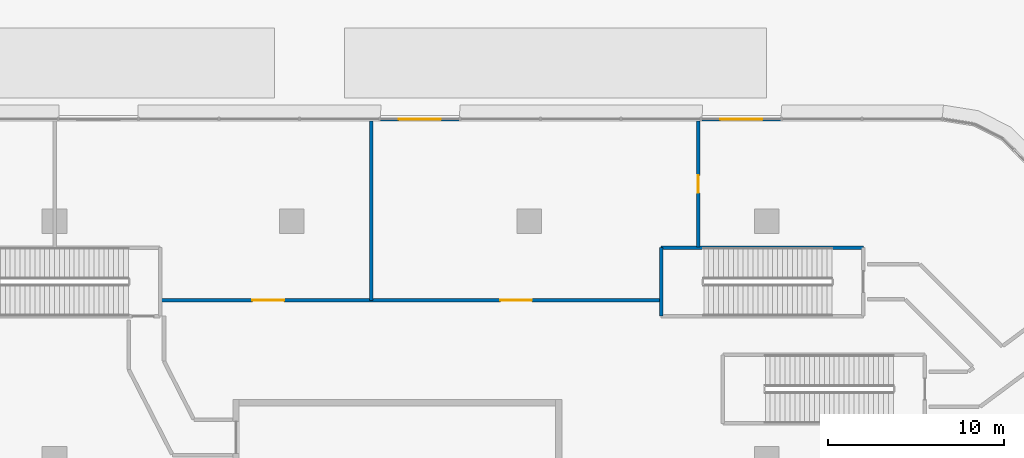
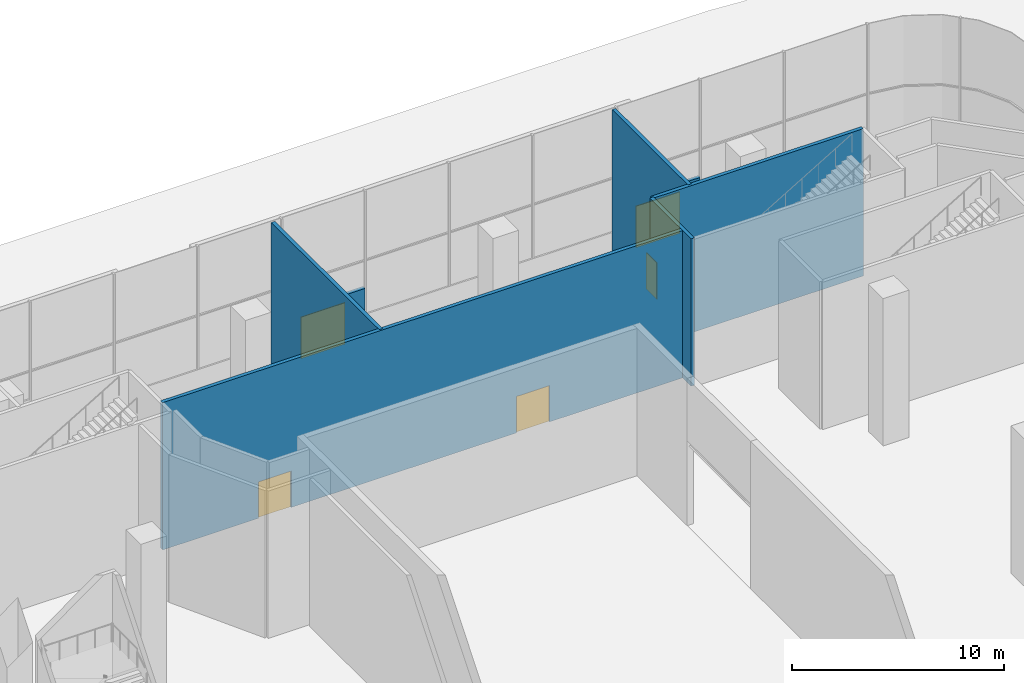
# One storey, part 31 of 54: 7 walls, 5 doors, 5 openings.
"""IFC4 building model written with IfcOpenShell, lengths in metres."""

from ifc_helpers import new_model, si_unit, direction, frame, frame_2d, origin, place, context, subcontext, project, spatial, rectangle, extrude, material, layer, layer_set, type_object, element, fill, save


model = new_model("IFC4")

# Units and contexts
model_context = context("Model", 3, precision=1e-05, world=origin(), true_north=direction((0.0, 1.0)))
body_context = subcontext(model_context, "Body", "Model", "MODEL_VIEW")
ifc_project = project(units=[si_unit("LENGTHUNIT", "METRE"), si_unit("AREAUNIT", "SQUARE_METRE"), si_unit("VOLUMEUNIT", "CUBIC_METRE"), si_unit("PLANEANGLEUNIT", "RADIAN"), si_unit("MASSUNIT", "GRAM", prefix="KILO")], contexts=[model_context])

# Site, building, storey
site_placement = place(None, origin())
site = spatial("IfcSite", under=ifc_project, at=site_placement, CompositionType="ELEMENT")
building_placement = place(site_placement, origin())
building = spatial("IfcBuilding", under=site, at=building_placement, Name="Tamarind Cross Interchange Tower", CompositionType="ELEMENT")
storey_placement = place(building_placement, origin())
storey = spatial("IfcBuildingStorey", under=building, at=storey_placement, Name="L00", CompositionType="ELEMENT", Elevation=0.0)

# Wall, openings, doors
ifc_material_1 = material(Name="Masonry partition, fire-rated", Category="masonry")
ifc_layer_1 = layer(ifc_material_1, 0.199951171875)
ifc_layer_set_1 = layer_set([ifc_layer_1], Name="Masonry partition, fire-rated")
wall_type_1 = type_object("IfcWallType", Name="Fire partition 200 EI 120", PredefinedType="PARTITIONING", material=ifc_layer_set_1)
wall_1_placement = place(storey_placement, frame((19.530029296875, 49.5, 0.0), z_axis=(0.0, 0.0, 1.0), x_axis=(1.0, 0.0, 0.0)))
wall_1 = element("IfcWall", 1, at=wall_1_placement, inside=storey, type_object=wall_type_1, Name="L00 partition 96", PredefinedType="PARTITIONING", context=body_context, shape_type="SweptSolid", body=[
    extrude(rectangle(XDim=28.43994140625, YDim=0.199951171875, at=frame_2d((14.219970703125, 0.0))), origin(), (0.0, 0.0, 1.0), 8.5),
])
opening_1_placement = place(wall_1_placement, frame((5.222412109375, 0.0, 0.0)))
opening_1 = element("IfcOpeningElement", 2, at=opening_1_placement, cuts=wall_1, Name="Opening DL00-16", PredefinedType="OPENING", context=body_context, shape_type="SweptSolid", body=[
    extrude(rectangle(XDim=1.800048828125, YDim=2.10009765625, at=frame_2d((0.89990234375, 1.050048828125))), frame((0.0, 0.10986328125, 0.0), z_axis=(0.0, -1.0, 0.0), x_axis=(1.0, 0.0, 0.0)), (0.0, 0.0, 1.0), 0.219970703125),
])
opening_2_placement = place(wall_1_placement, frame((19.320068359375, 0.0, 0.0)))
opening_2 = element("IfcOpeningElement", 3, at=opening_2_placement, cuts=wall_1, Name="Opening DL00-17", PredefinedType="OPENING", context=body_context, shape_type="SweptSolid", body=[
    extrude(rectangle(XDim=1.800048828125, YDim=2.10009765625, at=frame_2d((0.89990234375, 1.050048828125))), frame((0.0, 0.10986328125, 0.0), z_axis=(0.0, -1.0, 0.0), x_axis=(1.0, 0.0, 0.0)), (0.0, 0.0, 1.0), 0.219970703125),
])
ifc_material_2 = material(Name="Steel, fire-resisting", Category="steel")
door_type_1 = type_object("IfcDoorType", Name="Podium door 1800 x 2100 FD60", OperationType="SINGLE_SWING_LEFT", PredefinedType="DOOR", material=ifc_material_2)
door_1_placement = place(opening_1_placement, origin())
door_1 = element("IfcDoor", 4, at=door_1_placement, inside=storey, type_object=door_type_1, Name="L00 door Bus Control Room 0001", OperationType="SINGLE_SWING_RIGHT", OverallHeight=2.10009765625, OverallWidth=1.800048828125, PredefinedType="DOOR", context=body_context, shape_type="SweptSolid", body=[
    extrude(rectangle(XDim=1.800048828125, YDim=2.10009765625, at=frame_2d((0.89990234375, 1.050048828125))), frame((0.0, 0.02490234375, 0.0), z_axis=(0.0, -1.0, 0.0), x_axis=(1.0, 0.0, 0.0)), (0.0, 0.0, 1.0), 0.050048828125),
])
fill(opening_1, door_1)
door_2_placement = place(opening_2_placement, origin())
door_2 = element("IfcDoor", 5, at=door_2_placement, inside=storey, type_object=door_type_1, Name="L00 door Driver Rest Room 0002", OperationType="SINGLE_SWING_LEFT", OverallHeight=2.10009765625, OverallWidth=1.800048828125, PredefinedType="DOOR", context=body_context, shape_type="SweptSolid", body=[
    extrude(rectangle(XDim=1.800048828125, YDim=2.10009765625, at=frame_2d((0.89990234375, 1.050048828125))), frame((0.0, 0.02490234375, 0.0), z_axis=(0.0, -1.0, 0.0), x_axis=(1.0, 0.0, 0.0)), (0.0, 0.0, 1.0), 0.050048828125),
])
fill(opening_2, door_2)

# Wall
wall_2_placement = place(storey_placement, frame((31.5, 49.5, 0.0), z_axis=(0.0, 0.0, 1.0), x_axis=(0.0, 1.0, 0.0)))
element("IfcWall", 6, at=wall_2_placement, inside=storey, type_object=wall_type_1, Name="L00 partition 98", PredefinedType="PARTITIONING", context=body_context, shape_type="SweptSolid", body=[
    extrude(rectangle(XDim=10.198974609375, YDim=0.199951171875, at=frame_2d((5.099609375, 0.0))), origin(), (0.0, 0.0, 1.0), 8.5),
])

# Wall, opening, door
wall_3_placement = place(storey_placement, frame((50.10009765625, 52.530029296875, 0.0), z_axis=(0.0, 0.0, 1.0), x_axis=(0.0, 1.0, 0.0)))
wall_3 = element("IfcWall", 7, at=wall_3_placement, inside=storey, type_object=wall_type_1, Name="L00 partition 101", PredefinedType="PARTITIONING", context=body_context, shape_type="SweptSolid", body=[
    extrude(rectangle(XDim=7.1689453125, YDim=0.199951171875, at=frame_2d((3.58447265625, 0.0))), origin(), (0.0, 0.0, 1.0), 8.5),
])
opening_3_placement = place(wall_3_placement, frame((3.080078125, 0.0, 0.0)))
opening_3 = element("IfcOpeningElement", 8, at=opening_3_placement, cuts=wall_3, Name="Opening DL00-35", PredefinedType="OPENING", context=body_context, shape_type="SweptSolid", body=[
    extrude(rectangle(XDim=1.0, YDim=2.10009765625, at=frame_2d((0.5, 1.050048828125))), frame((0.0, 0.10986328125, 0.0), z_axis=(0.0, -1.0, 0.0), x_axis=(1.0, 0.0, 0.0)), (0.0, 0.0, 1.0), 0.219970703125),
])
door_type_2 = type_object("IfcDoorType", Name="Podium door 1000 x 2100 FD60", OperationType="SINGLE_SWING_LEFT", PredefinedType="DOOR", material=ifc_material_2)
door_3_placement = place(opening_3_placement, origin())
door_3 = element("IfcDoor", 9, at=door_3_placement, inside=storey, type_object=door_type_2, Name="L00 door Driver Toilets 0003", OperationType="SINGLE_SWING_LEFT", OverallHeight=2.10009765625, OverallWidth=1.0, PredefinedType="DOOR", context=body_context, shape_type="SweptSolid", body=[
    extrude(rectangle(XDim=1.0, YDim=2.10009765625, at=frame_2d((0.5, 1.050048828125))), frame((0.0, 0.02490234375, 0.0), z_axis=(0.0, -1.0, 0.0), x_axis=(1.0, 0.0, 0.0)), (0.0, 0.0, 1.0), 0.050048828125),
])
fill(opening_3, door_3)

ifc_material_3 = material(Name="Precast concrete C40", Category="concrete")
ifc_layer_2 = layer(ifc_material_3, 0.35009765625)
ifc_layer_set_2 = layer_set([ifc_layer_2], Name="Precast concrete C40")
wall_type_2 = type_object("IfcWallType", Name="Podium facade wall", PredefinedType="SOLIDWALL", material=ifc_layer_set_2)
wall_4_placement = place(storey_placement, frame((54.8037109375, 59.800048828125, 0.0), z_axis=(0.0, 0.0, 1.0), x_axis=(-1.0, 0.0, 0.0)))
wall_4 = element("IfcWall", 10, at=wall_4_placement, inside=storey, type_object=wall_type_2, Name="EXW-L00-02-D02", PredefinedType="SOLIDWALL", context=body_context, shape_type="SweptSolid", body=[
    extrude(rectangle(XDim=4.490478515625, YDim=0.199951171875, at=frame_2d((2.2451171875, 0.0))), origin(), (0.0, 0.0, 1.0), 2.89990234375),
])
opening_4_placement = place(wall_4_placement, frame((1.045166015625, 0.0, 0.0)))
opening_4 = element("IfcOpeningElement", 11, at=opening_4_placement, cuts=wall_4, Name="Opening D1", PredefinedType="OPENING", context=body_context, shape_type="SweptSolid", body=[
    extrude(rectangle(XDim=2.39990234375, YDim=2.39990234375, at=frame_2d((1.199951171875, 1.199951171875))), frame((0.0, 0.10986328125, 0.0), z_axis=(0.0, -1.0, 0.0), x_axis=(1.0, 0.0, 0.0)), (0.0, 0.0, 1.0), 0.219970703125),
])
ifc_material_4 = material(Name="Toughened glass and aluminium", Category="aluminium")
door_type_3 = type_object("IfcDoorType", Name="Station entrance door", OperationType="DOUBLE_DOOR_DOUBLE_SWING", PredefinedType="DOOR", material=ifc_material_4)
door_4_placement = place(opening_4_placement, frame((2.39990234375, 0.0, 0.0), z_axis=(0.0, 0.0, 1.0), x_axis=(-1.0, 0.0, 0.0)))
door_4 = element("IfcDoor", 12, at=door_4_placement, inside=storey, type_object=door_type_3, Name="DOR-L00-02-02", OperationType="DOUBLE_DOOR_DOUBLE_SWING", OverallHeight=2.39990234375, OverallWidth=2.39990234375, PredefinedType="DOOR", context=body_context, shape_type="SweptSolid", body=[
    extrude(rectangle(XDim=2.39990234375, YDim=2.39990234375, at=frame_2d((1.199951171875, 1.199951171875))), frame((0.0, 0.02490234375, 0.0), z_axis=(0.0, -1.0, 0.0), x_axis=(1.0, 0.0, 0.0)), (0.0, 0.0, 1.0), 0.050048828125),
])
fill(opening_4, door_4)

wall_5_placement = place(storey_placement, frame((36.5224609375, 59.800048828125, 0.0), z_axis=(0.0, 0.0, 1.0), x_axis=(-1.0, 0.0, 0.0)))
wall_5 = element("IfcWall", 13, at=wall_5_placement, inside=storey, type_object=wall_type_2, Name="EXW-L00-02-D06", PredefinedType="SOLIDWALL", context=body_context, shape_type="SweptSolid", body=[
    extrude(rectangle(XDim=4.490234375, YDim=0.199951171875, at=frame_2d((2.2451171875, 0.0))), origin(), (0.0, 0.0, 1.0), 2.89990234375),
])
opening_5_placement = place(wall_5_placement, frame((1.045166015625, 0.0, 0.0)))
opening_5 = element("IfcOpeningElement", 14, at=opening_5_placement, cuts=wall_5, Name="Opening D1", PredefinedType="OPENING", context=body_context, shape_type="SweptSolid", body=[
    extrude(rectangle(XDim=2.39990234375, YDim=2.39990234375, at=frame_2d((1.199951171875, 1.199951171875))), frame((0.0, 0.10986328125, 0.0), z_axis=(0.0, -1.0, 0.0), x_axis=(1.0, 0.0, 0.0)), (0.0, 0.0, 1.0), 0.219970703125),
])
door_5_placement = place(opening_5_placement, frame((2.39990234375, 0.0, 0.0), z_axis=(0.0, 0.0, 1.0), x_axis=(-1.0, 0.0, 0.0)))
door_5 = element("IfcDoor", 15, at=door_5_placement, inside=storey, type_object=door_type_3, Name="DOR-L00-02-06", OperationType="DOUBLE_DOOR_DOUBLE_SWING", OverallHeight=2.39990234375, OverallWidth=2.39990234375, PredefinedType="DOOR", context=body_context, shape_type="SweptSolid", body=[
    extrude(rectangle(XDim=2.39990234375, YDim=2.39990234375, at=frame_2d((1.199951171875, 1.199951171875))), frame((0.0, 0.02490234375, 0.0), z_axis=(0.0, -1.0, 0.0), x_axis=(1.0, 0.0, 0.0)), (0.0, 0.0, 1.0), 0.050048828125),
])
fill(opening_5, door_5)

# Walls
ifc_material_5 = material(Name="Concrete C40", Category="concrete")
ifc_layer_3 = layer(ifc_material_5, 0.199951171875)
ifc_layer_set_3 = layer_set([ifc_layer_3], Name="Concrete C40")
wall_type_3 = type_object("IfcWallType", Name="Stair shaft wall 200 EI 180", PredefinedType="PARTITIONING", material=ifc_layer_set_3)
wall_6_placement = place(storey_placement, frame((48.0, 48.60009765625, 0.0), z_axis=(0.0, 0.0, 1.0), x_axis=(0.0, 1.0, 0.0)))
element("IfcWall", 16, at=wall_6_placement, inside=storey, type_object=wall_type_3, Name="L00 stair shaft wall 54", PredefinedType="PARTITIONING", context=body_context, shape_type="SweptSolid", body=[
    extrude(rectangle(XDim=3.89990234375, YDim=0.199951171875, at=frame_2d((1.949951171875, 0.0))), origin(), (0.0, 0.0, 1.0), 8.5),
])
wall_7_placement = place(storey_placement, frame((48.0, 52.5, 0.0), z_axis=(0.0, 0.0, 1.0), x_axis=(1.0, 0.0, 0.0)))
element("IfcWall", 17, at=wall_7_placement, inside=storey, type_object=wall_type_3, Name="L00 stair shaft wall 55", PredefinedType="PARTITIONING", context=body_context, shape_type="SweptSolid", body=[
    extrude(rectangle(XDim=11.5, YDim=0.199951171875, at=frame_2d((5.75, 0.0))), origin(), (0.0, 0.0, 1.0), 8.5),
])

save(model, "model.ifc")
